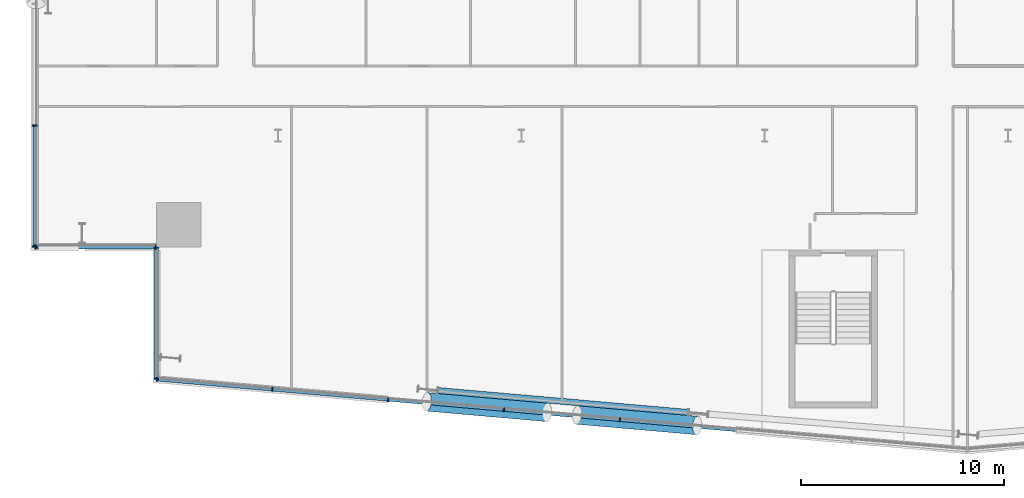
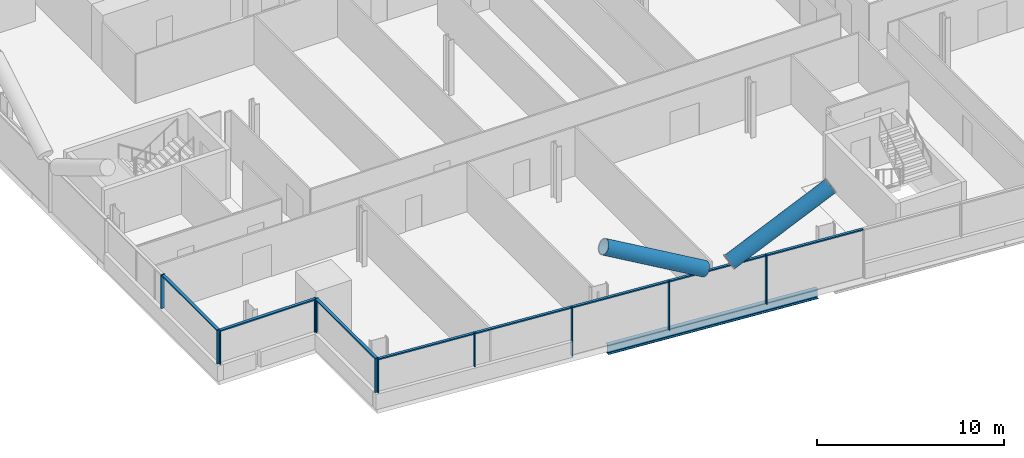
# One storey, part 4 of 27: 21 members, 1 beam, 4 elements without a shape of their own.
"""IFC4 building model written with IfcOpenShell, lengths in metres."""

from ifc_helpers import new_model, si_unit, direction, frame, origin, origin_2d, place, context, subcontext, project, spatial, rectangle, hollow_circle, i_section, extrude, material, material_profile, profile_set, type_object, element, aggregate, save


model = new_model("IFC4")

# Units and contexts
model_context = context("Model", 3, precision=1e-05, world=origin(), true_north=direction((0.0, 1.0)))
body_context = subcontext(model_context, "Body", "Model", "MODEL_VIEW")
ifc_project = project(units=[si_unit("LENGTHUNIT", "METRE"), si_unit("AREAUNIT", "SQUARE_METRE"), si_unit("VOLUMEUNIT", "CUBIC_METRE"), si_unit("PLANEANGLEUNIT", "RADIAN"), si_unit("MASSUNIT", "GRAM", prefix="KILO")], contexts=[model_context])

# Site, building, storey
site_placement = place(None, origin())
site = spatial("IfcSite", under=ifc_project, at=site_placement, CompositionType="ELEMENT")
building_placement = place(site_placement, origin())
building = spatial("IfcBuilding", under=site, at=building_placement, Name="Wharfspan Tower", CompositionType="ELEMENT")
storey_placement = place(building_placement, frame((0.0, 0.0, 84.699951)))
storey = spatial("IfcBuildingStorey", under=building, at=storey_placement, Name="L18", CompositionType="ELEMENT", Elevation=84.699951)

# Beam
ifc_material_1 = material(Name="Steel S355J2", Category="steel")
ifc_material_profile_1 = material_profile(ifc_material_1, i_section(OverallWidth=0.300049, OverallDepth=0.600098, WebThickness=0.015381, FlangeThickness=0.030029, FilletRadius=0.0271, at=origin_2d()))
ifc_profile_set_1 = profile_set([ifc_material_profile_1], Name="Steel S355J2")
beam_type = type_object("IfcBeamType", Name="Edge beam HEB 600", PredefinedType="SPANDREL", material=ifc_profile_set_1)
beam_placement = place(storey_placement, frame((19.888916, -1.077637, -0.699951), z_axis=(0.996195, -0.087154, 0.0), x_axis=(0.087154, 0.996195, 0.0)))
element("IfcBeam", 1, at=beam_placement, inside=storey, type_object=beam_type, Name="Edge beam S1 L18 PS1.2 to PS1.3", PredefinedType="SPANDREL", context=body_context, shape_type="SweptSolid", body=[
    extrude(i_section(OverallWidth=0.300049, OverallDepth=0.600098, WebThickness=0.015381, FlangeThickness=0.030029, FilletRadius=0.0271, at=origin_2d()), origin(), (0.0, 0.0, 1.0), 12.384277),
])

# Curtain wall, members
ifc_material_2 = material(Name="Aluminium 6063-T6", Category="aluminium")
curtain_wall_type_1 = type_object("IfcCurtainWallType", Name="CURTAIN WALL FACETED FRONT", PredefinedType="NOTDEFINED", material=ifc_material_2)
curtain_wall_1_placement = place(storey_placement, origin())
curtain_wall_1 = element("IfcCurtainWall", 2, at=curtain_wall_1_placement, inside=storey, type_object=curtain_wall_type_1, Name="Curtain wall S1", PredefinedType="NOTDEFINED")
ifc_material_profile_2 = material_profile(ifc_material_2, rectangle(XDim=0.199951, YDim=0.060059, at=origin_2d()))
ifc_profile_set_2 = profile_set([ifc_material_profile_2], Name="Aluminium 6063-T6")
member_type_1 = type_object("IfcMemberType", Name="MULLION FACETED FRONT 60x200", PredefinedType="MULLION", material=ifc_profile_set_2)
member_1_placement = place(storey_placement, frame((6.029785, -0.527588, 1.0), z_axis=(0.0, 0.0, 1.0), x_axis=(0.087156, 0.996197, 0.0)))
member_1 = element("IfcMember", 3, at=member_1_placement, type_object=member_type_1, Name="Curtain wall S1 mullion 1", PredefinedType="MULLION", context=body_context, shape_type="SweptSolid", body=[
    extrude(rectangle(XDim=0.199951, YDim=0.060059, at=origin_2d()), origin(), (0.0, 0.0, 1.0), 2.199951),
])
member_2_placement = place(storey_placement, frame((11.714355, -1.024902, 1.0), z_axis=(0.0, 0.0, 1.0), x_axis=(0.087156, 0.996197, 0.0)))
member_2 = element("IfcMember", 4, at=member_2_placement, type_object=member_type_1, Name="Curtain wall S1 mullion 2", PredefinedType="MULLION", context=body_context, shape_type="SweptSolid", body=[
    extrude(rectangle(XDim=0.199951, YDim=0.060059, at=origin_2d()), origin(), (0.0, 0.0, 1.0), 2.199951),
])
member_3_placement = place(storey_placement, frame((17.428467, -1.524902, 0.0), z_axis=(0.0, 0.0, 1.0), x_axis=(0.087156, 0.996197, 0.0)))
member_3 = element("IfcMember", 5, at=member_3_placement, type_object=member_type_1, Name="Curtain wall S1 mullion 3", PredefinedType="MULLION", context=body_context, shape_type="SweptSolid", body=[
    extrude(rectangle(XDim=0.199951, YDim=0.060059, at=origin_2d()), origin(), (0.0, 0.0, 1.0), 3.199951),
])
member_4_placement = place(storey_placement, frame((23.142822, -2.024658, 0.0), z_axis=(0.0, 0.0, 1.0), x_axis=(0.087156, 0.996197, 0.0)))
member_4 = element("IfcMember", 6, at=member_4_placement, type_object=member_type_1, Name="Curtain wall S1 mullion 4", PredefinedType="MULLION", context=body_context, shape_type="SweptSolid", body=[
    extrude(rectangle(XDim=0.199951, YDim=0.060059, at=origin_2d()), origin(), (0.0, 0.0, 1.0), 3.199951),
])
member_5_placement = place(storey_placement, frame((28.857178, -2.524658, 0.0), z_axis=(0.0, 0.0, 1.0), x_axis=(0.087156, 0.996197, 0.0)))
member_5 = element("IfcMember", 7, at=member_5_placement, type_object=member_type_1, Name="Curtain wall S1 mullion 5", PredefinedType="MULLION", context=body_context, shape_type="SweptSolid", body=[
    extrude(rectangle(XDim=0.199951, YDim=0.060059, at=origin_2d()), origin(), (0.0, 0.0, 1.0), 3.199951),
])

curtain_wall_type_2 = type_object("IfcCurtainWallType", Name="CURTAIN WALL PROW AND END", PredefinedType="NOTDEFINED", material=ifc_material_2)
curtain_wall_2_placement = place(storey_placement, origin())
curtain_wall_2 = element("IfcCurtainWall", 8, at=curtain_wall_2_placement, inside=storey, type_object=curtain_wall_type_2, Name="Curtain wall W", PredefinedType="NOTDEFINED")
ifc_material_profile_3 = material_profile(ifc_material_2, rectangle(XDim=0.23999, YDim=0.060059, at=origin_2d()))
ifc_profile_set_3 = profile_set([ifc_material_profile_3], Name="Aluminium 6063-T6")
member_type_2 = type_object("IfcMemberType", Name="MULLION PROW AND END 60x240", PredefinedType="MULLION", material=ifc_profile_set_3)
member_6_placement = place(storey_placement, frame((0.0, 12.0, 1.0), z_axis=(0.0, 0.0, 1.0), x_axis=(1.0, 0.0, 0.0)))
member_6 = element("IfcMember", 9, at=member_6_placement, type_object=member_type_2, Name="Curtain wall W mullion 6", PredefinedType="MULLION", context=body_context, shape_type="SweptSolid", body=[
    extrude(rectangle(XDim=0.23999, YDim=0.060059, at=origin_2d()), origin(), (0.0, 0.0, 1.0), 2.199951),
])
member_7_placement = place(storey_placement, frame((0.0, 6.030029, 1.0), z_axis=(0.0, 0.0, 1.0), x_axis=(1.0, 0.0, 0.0)))
member_7 = element("IfcMember", 10, at=member_7_placement, type_object=member_type_2, Name="Curtain wall W mullion 7", PredefinedType="MULLION", context=body_context, shape_type="SweptSolid", body=[
    extrude(rectangle(XDim=0.23999, YDim=0.060059, at=origin_2d()), origin(), (0.0, 0.0, 1.0), 2.199951),
])

curtain_wall_3_placement = place(storey_placement, origin())
curtain_wall_3 = element("IfcCurtainWall", 11, at=curtain_wall_3_placement, inside=storey, type_object=curtain_wall_type_2, Name="Curtain wall NFW-H", PredefinedType="NOTDEFINED")
member_8_placement = place(storey_placement, frame((0.030029, 6.0, 1.0), z_axis=(0.0, 0.0, 1.0), x_axis=(0.0, 1.0, 0.0)))
member_8 = element("IfcMember", 12, at=member_8_placement, type_object=member_type_2, Name="Curtain wall NFW-H mullion 1", PredefinedType="MULLION", context=body_context, shape_type="SweptSolid", body=[
    extrude(rectangle(XDim=0.23999, YDim=0.060059, at=origin_2d()), origin(), (0.0, 0.0, 1.0), 2.199951),
])
member_9_placement = place(storey_placement, frame((5.969971, 6.0, 1.0), z_axis=(0.0, 0.0, 1.0), x_axis=(0.0, 1.0, 0.0)))
member_9 = element("IfcMember", 13, at=member_9_placement, type_object=member_type_2, Name="Curtain wall NFW-H mullion 2", PredefinedType="MULLION", context=body_context, shape_type="SweptSolid", body=[
    extrude(rectangle(XDim=0.23999, YDim=0.060059, at=origin_2d()), origin(), (0.0, 0.0, 1.0), 2.199951),
])

curtain_wall_4_placement = place(storey_placement, origin())
curtain_wall_4 = element("IfcCurtainWall", 14, at=curtain_wall_4_placement, inside=storey, type_object=curtain_wall_type_2, Name="Curtain wall NFW-V", PredefinedType="NOTDEFINED")
member_10_placement = place(storey_placement, frame((6.0, 5.969971, 1.0), z_axis=(0.0, 0.0, 1.0), x_axis=(1.0, 0.0, 0.0)))
member_10 = element("IfcMember", 15, at=member_10_placement, type_object=member_type_2, Name="Curtain wall NFW-V mullion 1", PredefinedType="MULLION", context=body_context, shape_type="SweptSolid", body=[
    extrude(rectangle(XDim=0.23999, YDim=0.060059, at=origin_2d()), origin(), (0.0, 0.0, 1.0), 2.199951),
])
member_11_placement = place(storey_placement, frame((6.0, -0.494873, 1.0), z_axis=(0.0, 0.0, 1.0), x_axis=(1.0, 0.0, 0.0)))
member_11 = element("IfcMember", 16, at=member_11_placement, type_object=member_type_2, Name="Curtain wall NFW-V mullion 2", PredefinedType="MULLION", context=body_context, shape_type="SweptSolid", body=[
    extrude(rectangle(XDim=0.23999, YDim=0.060059, at=origin_2d()), origin(), (0.0, 0.0, 1.0), 2.199951),
])

# Members
ifc_material_3 = material(Name="Steel S460NH", Category="steel")
ifc_material_profile_4 = material_profile(ifc_material_3, hollow_circle(Radius=0.457031, WallThickness=0.040039, at=origin_2d()))
ifc_profile_set_4 = profile_set([ifc_material_profile_4], Name="Steel S460NH")
member_type_3 = type_object("IfcMemberType", Name="Mega brace CHS 914x40", PredefinedType="BRACE", material=ifc_profile_set_4)
for number, where, z_axis, x_axis, name in (
    (17, (26.746338, -2.284912, 3.300537), (0.877314, -0.076746, 0.47374), (0.087144, 0.996196, 3e-06), "Mega brace S1 L18 part 2"),
    (18, (25.263184, -2.155029, 3.300537), (-0.877314, 0.076746, 0.47374), (-0.087144, -0.996196, 3e-06), "Mega brace S1 L18 part 4"),
):
    element("IfcMember", number, at=place(storey_placement, frame(where, z_axis=z_axis, x_axis=x_axis)), inside=storey, type_object=member_type_3, Name=name, PredefinedType="BRACE", context=body_context, shape_type="SweptSolid", body=[
        extrude(hollow_circle(Radius=0.457031, WallThickness=0.040039, at=origin_2d()), origin(), (0.0, 0.0, 1.0), 6.753662),
    ])

# Member
ifc_material_profile_5 = material_profile(ifc_material_2, rectangle(XDim=0.159912, YDim=0.080078, at=origin_2d()))
ifc_profile_set_5 = profile_set([ifc_material_profile_5], Name="Aluminium 6063-T6")
member_type_4 = type_object("IfcMemberType", Name="TRANSOM FACETED FRONT 80x160", PredefinedType="USERDEFINED", material=ifc_profile_set_5)
member_12_placement = place(storey_placement, frame((6.059814, -0.530273, 3.160156), z_axis=(0.996197, -0.087132, 0.0), x_axis=(0.087132, 0.996197, 0.0)))
member_12 = element("IfcMember", 19, at=member_12_placement, type_object=member_type_4, Name="Curtain wall S1 transom 1", ObjectType="TRANSOM", PredefinedType="USERDEFINED", context=body_context, shape_type="SweptSolid", body=[
    extrude(rectangle(XDim=0.159912, YDim=0.080078, at=origin_2d()), origin(), (0.0, 0.0, 1.0), 5.645996),
])

member_13_placement = place(storey_placement, frame((11.744141, -1.027588, 3.160156), z_axis=(0.996196, -0.087142, 0.0), x_axis=(0.087142, 0.996196, 0.0)))
member_13 = element("IfcMember", 20, at=member_13_placement, type_object=member_type_4, Name="Curtain wall S1 transom 2", ObjectType="TRANSOM", PredefinedType="USERDEFINED", context=body_context, shape_type="SweptSolid", body=[
    extrude(rectangle(XDim=0.159912, YDim=0.080078, at=origin_2d()), origin(), (0.0, 0.0, 1.0), 5.676025),
])

member_14_placement = place(storey_placement, frame((17.458496, -1.527344, 3.160156), z_axis=(0.996192, -0.087185, 0.0), x_axis=(0.087185, 0.996192, 0.0)))
member_14 = element("IfcMember", 21, at=member_14_placement, type_object=member_type_4, Name="Curtain wall S1 transom 3", ObjectType="TRANSOM", PredefinedType="USERDEFINED", context=body_context, shape_type="SweptSolid", body=[
    extrude(rectangle(XDim=0.159912, YDim=0.080078, at=origin_2d()), origin(), (0.0, 0.0, 1.0), 5.67627),
])

member_15_placement = place(storey_placement, frame((23.172852, -2.027344, 3.160156), z_axis=(0.996196, -0.087146, 0.0), x_axis=(0.087146, 0.996196, 0.0)))
member_15 = element("IfcMember", 22, at=member_15_placement, type_object=member_type_4, Name="Curtain wall S1 transom 4", ObjectType="TRANSOM", PredefinedType="USERDEFINED", context=body_context, shape_type="SweptSolid", body=[
    extrude(rectangle(XDim=0.159912, YDim=0.080078, at=origin_2d()), origin(), (0.0, 0.0, 1.0), 5.675781),
])

member_16_placement = place(storey_placement, frame((28.886963, -2.527344, 3.160156), z_axis=(0.996196, -0.087142, 0.0), x_axis=(0.087142, 0.996196, 0.0)))
member_16 = element("IfcMember", 23, at=member_16_placement, type_object=member_type_4, Name="Curtain wall S1 transom 5", ObjectType="TRANSOM", PredefinedType="USERDEFINED", context=body_context, shape_type="SweptSolid", body=[
    extrude(rectangle(XDim=0.159912, YDim=0.080078, at=origin_2d()), origin(), (0.0, 0.0, 1.0), 5.676025),
])

aggregate(curtain_wall_1, [member_1, member_2, member_3, member_4, member_5, member_12, member_13, member_14, member_15, member_16])

ifc_material_profile_6 = material_profile(ifc_material_2, rectangle(XDim=0.179932, YDim=0.080078, at=origin_2d()))
ifc_profile_set_6 = profile_set([ifc_material_profile_6], Name="Aluminium 6063-T6")
member_type_5 = type_object("IfcMemberType", Name="TRANSOM PROW AND END 80x180", PredefinedType="USERDEFINED", material=ifc_profile_set_6)
member_17_placement = place(storey_placement, frame((0.0, 11.969971, 3.160156), z_axis=(0.0, -1.0, 0.0), x_axis=(1.0, 0.0, 0.0)))
member_17 = element("IfcMember", 24, at=member_17_placement, type_object=member_type_5, Name="Curtain wall W transom 6", ObjectType="TRANSOM", PredefinedType="USERDEFINED", context=body_context, shape_type="SweptSolid", body=[
    extrude(rectangle(XDim=0.179932, YDim=0.080078, at=origin_2d()), origin(), (0.0, 0.0, 1.0), 5.909912),
])

aggregate(curtain_wall_2, [member_6, member_7, member_17])

member_18_placement = place(storey_placement, frame((0.060059, 6.0, 3.160156), z_axis=(1.0, 0.0, 0.0), x_axis=(0.0, 1.0, 0.0)))
member_18 = element("IfcMember", 25, at=member_18_placement, type_object=member_type_5, Name="Curtain wall NFW-H transom 1", ObjectType="TRANSOM", PredefinedType="USERDEFINED", context=body_context, shape_type="SweptSolid", body=[
    extrude(rectangle(XDim=0.179932, YDim=0.080078, at=origin_2d()), origin(), (0.0, 0.0, 1.0), 5.879883),
])

aggregate(curtain_wall_3, [member_8, member_9, member_18])

member_19_placement = place(storey_placement, frame((6.0, 5.939941, 3.160156), z_axis=(0.0, -1.0, 0.0), x_axis=(1.0, 0.0, 0.0)))
member_19 = element("IfcMember", 26, at=member_19_placement, type_object=member_type_5, Name="Curtain wall NFW-V transom 1", ObjectType="TRANSOM", PredefinedType="USERDEFINED", context=body_context, shape_type="SweptSolid", body=[
    extrude(rectangle(XDim=0.179932, YDim=0.080078, at=origin_2d()), origin(), (0.0, 0.0, 1.0), 6.404785),
])

aggregate(curtain_wall_4, [member_10, member_11, member_19])

save(model, "model.ifc")
